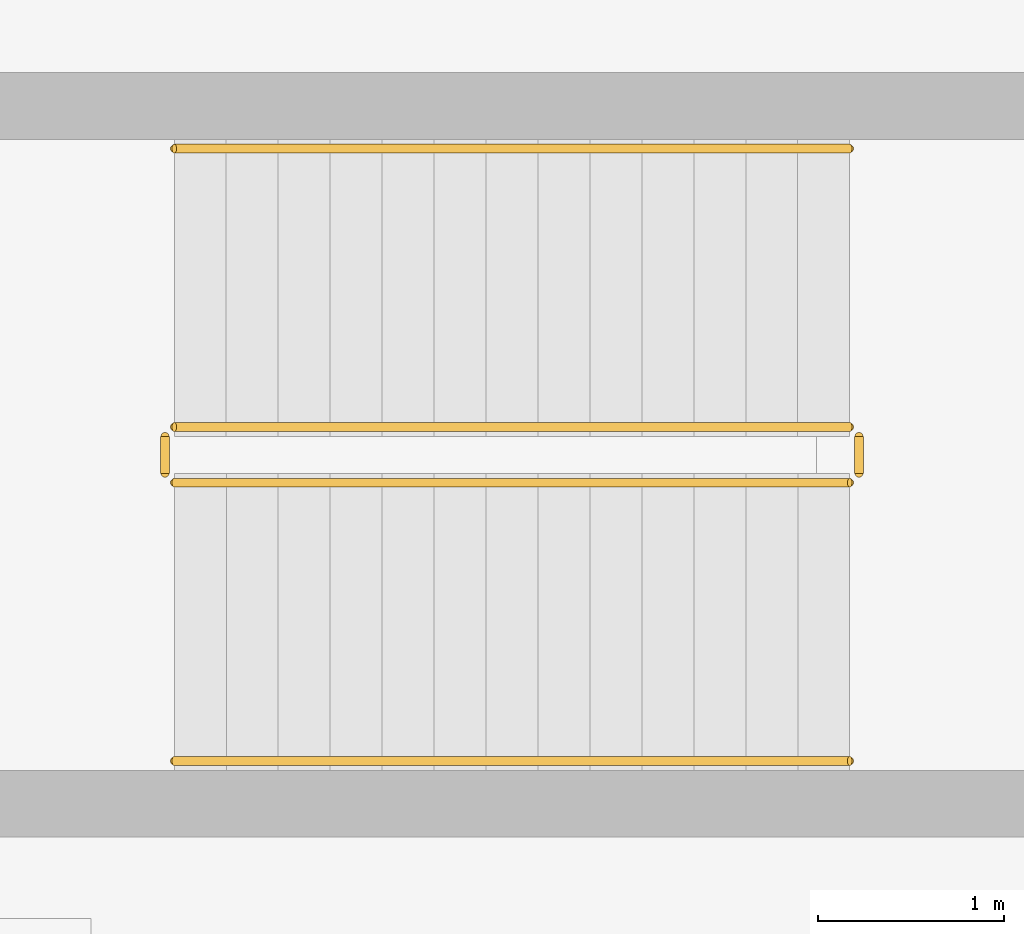
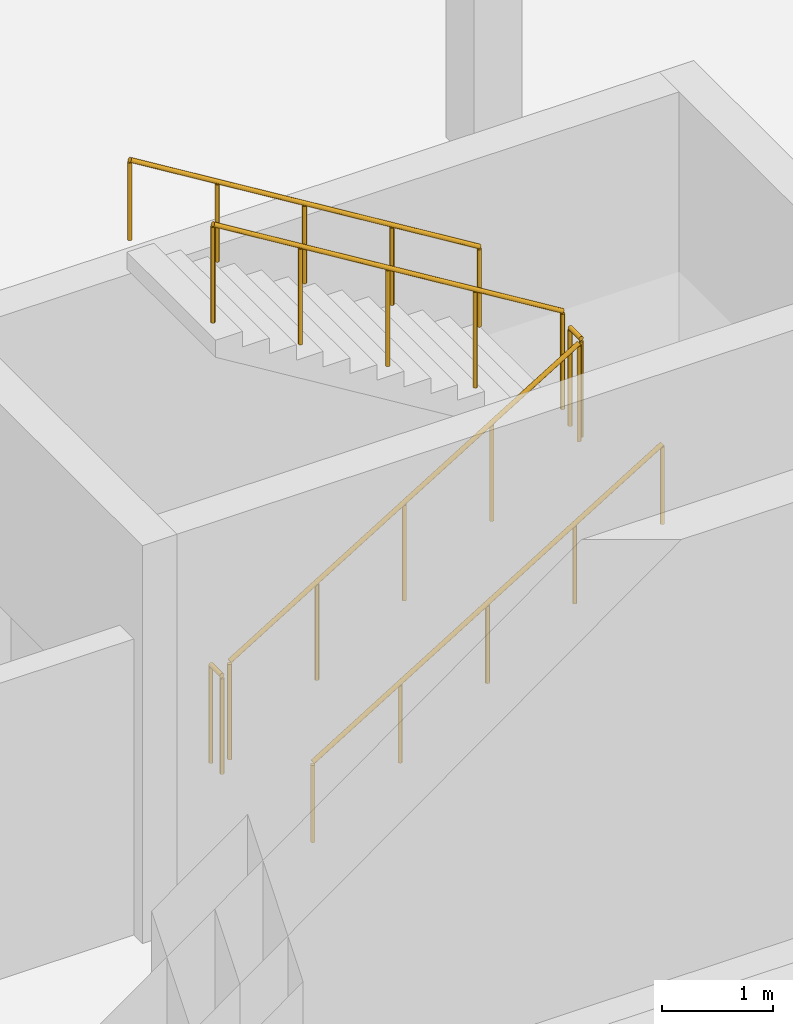
# One storey, part 22 of 28: 6 railings.
"""IFC4 building model written with IfcOpenShell, lengths in metres."""

from ifc_helpers import new_model, si_unit, direction, frame, origin, origin_2d, place, context, subcontext, project, spatial, circle, extrude, material, type_object, element, save


model = new_model("IFC4")

# Units and contexts
model_context = context("Model", 3, precision=1e-05, world=origin(), true_north=direction((0.0, 1.0)))
body_context = subcontext(model_context, "Body", "Model", "MODEL_VIEW")
ifc_project = project(units=[si_unit("LENGTHUNIT", "METRE"), si_unit("AREAUNIT", "SQUARE_METRE"), si_unit("VOLUMEUNIT", "CUBIC_METRE"), si_unit("PLANEANGLEUNIT", "RADIAN"), si_unit("MASSUNIT", "GRAM", prefix="KILO")], contexts=[model_context])

# Site, building, storey
site_placement = place(None, origin())
site = spatial("IfcSite", under=ifc_project, at=site_placement, CompositionType="ELEMENT")
building_placement = place(site_placement, origin())
building = spatial("IfcBuilding", under=site, at=building_placement, Name="Zereglee Splitstone Museum", CompositionType="ELEMENT")
storey_placement = place(building_placement, frame((0.0, 0.0, -4.800048828125)))
storey = spatial("IfcBuildingStorey", under=building, at=storey_placement, Name="B1", CompositionType="ELEMENT", Elevation=-4.800048828125)

# Railings
ifc_material_1 = material(Name="Painted steel S355J2 post-and-baluster guard", Category="steel")
railing_type_1 = type_object("IfcRailingType", Name="GR-03", PredefinedType="BALUSTRADE", material=ifc_material_1)
railing_1_placement = place(storey_placement, frame((90.25, 14.14990234375, 0.17138671875)))
element("IfcRailing", 1, at=railing_1_placement, inside=storey, type_object=railing_type_1, Name="B1 ST-06 stair guard 1", PredefinedType="BALUSTRADE", context=body_context, shape_type="SweptSolid", body=[
    extrude(circle(Radius=0.02392578125, at=origin_2d()), frame((0.0, 0.0, 1.076416015625), z_axis=(0.852824790078, 0.0, 0.522197163366), x_axis=(0.0, 1.0, 0.0)), (0.0, 0.0, 1.0), 4.26806640625),
    extrude(circle(Radius=0.02099609375, at=origin_2d()), origin(), (0.0, 0.0, 1.0), 1.052001953125),
    extrude(circle(Radius=0.02099609375, at=origin_2d()), frame((0.909912109375, 0.0, 0.55712890625)), (0.0, 0.0, 1.0), 1.052001953125),
    extrude(circle(Radius=0.02099609375, at=origin_2d()), frame((1.81982421875, 0.0, 1.1142578125)), (0.0, 0.0, 1.0), 1.052001953125),
    extrude(circle(Radius=0.02099609375, at=origin_2d()), frame((2.72998046875, 0.0, 1.671630859375)), (0.0, 0.0, 1.0), 1.052001953125),
    extrude(circle(Radius=0.02099609375, at=origin_2d()), frame((3.639892578125, 0.0, 2.228759765625)), (0.0, 0.0, 1.0), 1.052001953125),
])
railing_2_placement = place(storey_placement, frame((93.93994140625, 14.199951171875, 2.400146484375)))
element("IfcRailing", 2, at=railing_2_placement, inside=storey, type_object=railing_type_1, Name="B1 ST-06 stair guard 2", PredefinedType="BALUSTRADE", context=body_context, shape_type="SweptSolid", body=[
    extrude(circle(Radius=0.02392578125, at=origin_2d()), frame((0.0, 0.0, 1.076416015625), z_axis=(0.0, 1.0, 0.0), x_axis=(-1.0, 0.0, 0.0)), (0.0, 0.0, 1.0), 0.199951171875),
    extrude(circle(Radius=0.02099609375, at=origin_2d()), origin(), (0.0, 0.0, 1.0), 1.052001953125),
    extrude(circle(Radius=0.02099609375, at=origin_2d()), frame((0.0, 0.199951171875, 0.0)), (0.0, 0.0, 1.0), 1.052001953125),
])
railing_3_placement = place(storey_placement, frame((93.889892578125, 14.449951171875, 2.571533203125)))
element("IfcRailing", 3, at=railing_3_placement, inside=storey, type_object=railing_type_1, Name="B1 ST-06 stair guard 3", PredefinedType="BALUSTRADE", context=body_context, shape_type="SweptSolid", body=[
    extrude(circle(Radius=0.02392578125, at=origin_2d()), frame((0.0, 0.0, 1.076416015625), z_axis=(-0.852850264322, 0.0, 0.5221555579), x_axis=(0.0, -1.0, 0.0)), (0.0, 0.0, 1.0), 4.267822265625),
    extrude(circle(Radius=0.02099609375, at=origin_2d()), origin(), (0.0, 0.0, 1.0), 1.052001953125),
    extrude(circle(Radius=0.02099609375, at=origin_2d()), frame((-0.909912109375, 0.0, 0.55712890625)), (0.0, 0.0, 1.0), 1.052001953125),
    extrude(circle(Radius=0.02099609375, at=origin_2d()), frame((-1.81982421875, 0.0, 1.1142578125)), (0.0, 0.0, 1.0), 1.052001953125),
    extrude(circle(Radius=0.02099609375, at=origin_2d()), frame((-2.72998046875, 0.0, 1.67138671875)), (0.0, 0.0, 1.0), 1.052001953125),
    extrude(circle(Radius=0.02099609375, at=origin_2d()), frame((-3.639892578125, 0.0, 2.228515625)), (0.0, 0.0, 1.0), 1.052001953125),
])
railing_4_placement = place(storey_placement, frame((90.199951171875, 14.199951171875, 0.0)))
element("IfcRailing", 4, at=railing_4_placement, inside=storey, type_object=railing_type_1, Name="B1 ST-06 stair guard 4", PredefinedType="BALUSTRADE", context=body_context, shape_type="SweptSolid", body=[
    extrude(circle(Radius=0.02392578125, at=origin_2d()), frame((0.0, 0.0, 1.076416015625), z_axis=(0.0, 1.0, 0.0), x_axis=(-1.0, 0.0, 0.0)), (0.0, 0.0, 1.0), 0.199951171875),
    extrude(circle(Radius=0.02099609375, at=origin_2d()), origin(), (0.0, 0.0, 1.0), 1.052001953125),
    extrude(circle(Radius=0.02099609375, at=origin_2d()), frame((0.0, 0.199951171875, 0.0)), (0.0, 0.0, 1.0), 1.052001953125),
])
ifc_material_2 = material(Name="Architectural bronze tubular handrail", Category="steel")
railing_type_2 = type_object("IfcRailingType", Name="HR-01", PredefinedType="HANDRAIL", material=ifc_material_2)
railing_5_placement = place(storey_placement, frame((90.25, 12.64990234375, 0.17138671875)))
element("IfcRailing", 5, at=railing_5_placement, inside=storey, type_object=railing_type_2, Name="B1 ST-06 stair handrail 1", PredefinedType="HANDRAIL", context=body_context, shape_type="SweptSolid", body=[
    extrude(circle(Radius=0.02392578125, at=origin_2d()), frame((0.0, 0.0, 0.8759765625), z_axis=(0.852824790078, 0.0, 0.522197163366), x_axis=(0.0, 1.0, 0.0)), (0.0, 0.0, 1.0), 4.26806640625),
    extrude(circle(Radius=0.02099609375, at=origin_2d()), origin(), (0.0, 0.0, 1.0), 0.851806640625),
    extrude(circle(Radius=0.02099609375, at=origin_2d()), frame((0.909912109375, 0.0, 0.55712890625)), (0.0, 0.0, 1.0), 0.851806640625),
    extrude(circle(Radius=0.02099609375, at=origin_2d()), frame((1.81982421875, 0.0, 1.1142578125)), (0.0, 0.0, 1.0), 0.851806640625),
    extrude(circle(Radius=0.02099609375, at=origin_2d()), frame((2.72998046875, 0.0, 1.671630859375)), (0.0, 0.0, 1.0), 0.851806640625),
    extrude(circle(Radius=0.02099609375, at=origin_2d()), frame((3.639892578125, 0.0, 2.228759765625)), (0.0, 0.0, 1.0), 0.851806640625),
])
railing_6_placement = place(storey_placement, frame((93.889892578125, 15.949951171875, 2.571533203125)))
element("IfcRailing", 6, at=railing_6_placement, inside=storey, type_object=railing_type_2, Name="B1 ST-06 stair handrail 2", PredefinedType="HANDRAIL", context=body_context, shape_type="SweptSolid", body=[
    extrude(circle(Radius=0.02392578125, at=origin_2d()), frame((0.0, 0.0, 0.8759765625), z_axis=(-0.852850264322, 0.0, 0.5221555579), x_axis=(0.0, -1.0, 0.0)), (0.0, 0.0, 1.0), 4.267822265625),
    extrude(circle(Radius=0.02099609375, at=origin_2d()), origin(), (0.0, 0.0, 1.0), 0.851806640625),
    extrude(circle(Radius=0.02099609375, at=origin_2d()), frame((-0.909912109375, 0.0, 0.55712890625)), (0.0, 0.0, 1.0), 0.851806640625),
    extrude(circle(Radius=0.02099609375, at=origin_2d()), frame((-1.81982421875, 0.0, 1.1142578125)), (0.0, 0.0, 1.0), 0.851806640625),
    extrude(circle(Radius=0.02099609375, at=origin_2d()), frame((-2.72998046875, 0.0, 1.67138671875)), (0.0, 0.0, 1.0), 0.851806640625),
    extrude(circle(Radius=0.02099609375, at=origin_2d()), frame((-3.639892578125, 0.0, 2.228515625)), (0.0, 0.0, 1.0), 0.851806640625),
])

save(model, "model.ifc")
